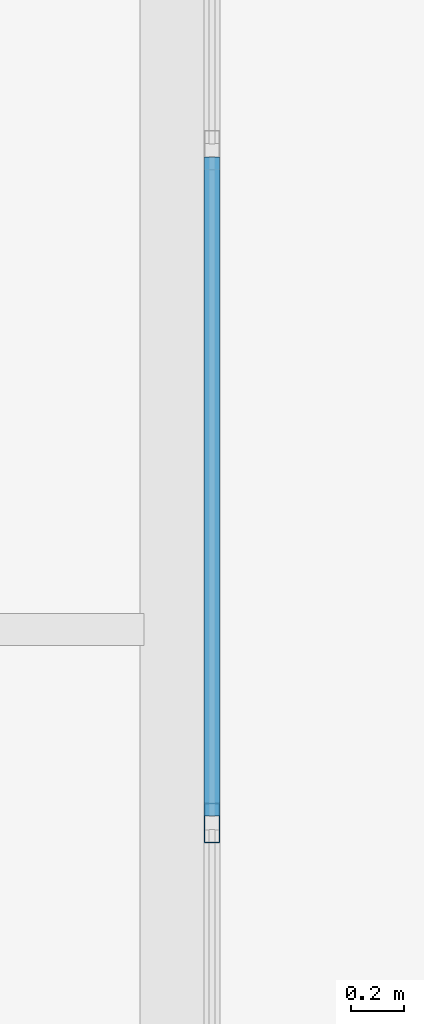
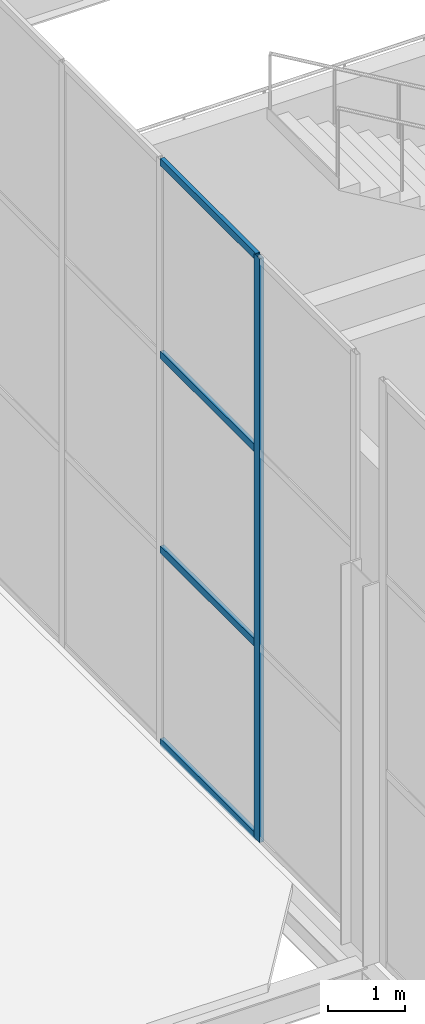
# One storey, part 85 of 191: 5 members, 1 element without a shape of its own.
"""IFC4 building model written with IfcOpenShell, lengths in metres."""

from ifc_helpers import new_model, si_unit, direction, frame, origin, origin_2d, place, context, subcontext, project, spatial, hollow_rectangle, extrude, material, layer, layer_set, material_profile, profile_set, type_object, element, aggregate, save


model = new_model("IFC4")

# Units and contexts
model_context = context("Model", 3, precision=1e-05, world=origin(), true_north=direction((0.0, 1.0)))
body_context = subcontext(model_context, "Body", "Model", "MODEL_VIEW")
ifc_project = project(units=[si_unit("LENGTHUNIT", "METRE"), si_unit("AREAUNIT", "SQUARE_METRE"), si_unit("VOLUMEUNIT", "CUBIC_METRE"), si_unit("PLANEANGLEUNIT", "RADIAN"), si_unit("MASSUNIT", "GRAM", prefix="KILO")], contexts=[model_context])

# Site, building, storey
site_placement = place(None, origin())
site = spatial("IfcSite", under=ifc_project, at=site_placement, CompositionType="ELEMENT")
building_placement = place(site_placement, origin())
building = spatial("IfcBuilding", under=site, at=building_placement, Name="Tamarisk Ironworks Central Station", CompositionType="ELEMENT")
storey_placement = place(building_placement, frame((0.0, 0.0, 6.60009765625)))
storey = spatial("IfcBuildingStorey", under=building, at=storey_placement, Name="L01", CompositionType="ELEMENT", Elevation=6.60009765625)

# Curtain wall, members
ifc_material = material(Name="Anodized aluminium alloy 6063-T6", Category="aluminium")
ifc_layer = layer(ifc_material, 0.179931640625)
ifc_layer_set = layer_set([ifc_layer], Name="Anodized aluminium alloy 6063-T6")
curtain_wall_type = type_object("IfcCurtainWallType", Name="CW-08", PredefinedType="USERDEFINED", material=ifc_layer_set)
curtain_wall_placement = place(storey_placement, origin())
curtain_wall = element("IfcCurtainWall", 1, at=curtain_wall_placement, inside=storey, type_object=curtain_wall_type, Name="Concourse W track-overlook curtain wall 07", ObjectType="GLAZED CURTAIN WALL", PredefinedType="USERDEFINED")
ifc_material_profile_1 = material_profile(ifc_material, hollow_rectangle(XDim=0.06005859375, YDim=0.14990234375, WallThickness=0.00341796875, at=origin_2d()), Name="ALUM 150x60")
ifc_profile_set_1 = profile_set([ifc_material_profile_1], Name="Anodized aluminium alloy 6063-T6")
member_type_1 = type_object("IfcMemberType", Name="CWM-03", PredefinedType="MULLION", material=ifc_profile_set_1)
member_1_placement = place(storey_placement, frame((54.1201171875, 92.875, 0.0), z_axis=(0.0, 0.0, 1.0), x_axis=(-1.0, 0.0, 0.0)))
member_1 = element("IfcMember", 2, at=member_1_placement, type_object=member_type_1, Name="CW08 mullion 2", PredefinedType="MULLION", context=body_context, shape_type="SweptSolid", body=[
    extrude(hollow_rectangle(XDim=0.06005859375, YDim=0.14990234375, WallThickness=0.00341796875, at=origin_2d()), origin(), (0.0, 0.0, 1.0), 9.219970703125),
])
ifc_material_profile_2 = material_profile(ifc_material, hollow_rectangle(XDim=0.06005859375, YDim=0.114990234375, WallThickness=0.00341796875, at=origin_2d()), Name="ALUM 115x60")
ifc_profile_set_2 = profile_set([ifc_material_profile_2], Name="Anodized aluminium alloy 6063-T6")
member_type_2 = type_object("IfcMemberType", Name="CWT-03", PredefinedType="USERDEFINED", material=ifc_profile_set_2)
member_2_placement = place(storey_placement, frame((54.1201171875, 92.90087890625, 0.02978515625), z_axis=(0.0, 1.0, 0.0), x_axis=(-1.0, 0.0, 0.0)))
member_2 = element("IfcMember", 3, at=member_2_placement, type_object=member_type_2, Name="CW08 transom 2.1", ObjectType="TRANSOM", PredefinedType="USERDEFINED", context=body_context, shape_type="SweptSolid", body=[
    extrude(hollow_rectangle(XDim=0.06005859375, YDim=0.114990234375, WallThickness=0.00341796875, at=origin_2d()), origin(), (0.0, 0.0, 1.0), 2.47314453125),
])
member_3_placement = place(storey_placement, frame((54.1201171875, 92.90087890625, 3.0732421875), z_axis=(0.0, 1.0, 0.0), x_axis=(-1.0, 0.0, 0.0)))
member_3 = element("IfcMember", 4, at=member_3_placement, type_object=member_type_2, Name="CW08 transom 2.2", ObjectType="TRANSOM", PredefinedType="USERDEFINED", context=body_context, shape_type="SweptSolid", body=[
    extrude(hollow_rectangle(XDim=0.06005859375, YDim=0.114990234375, WallThickness=0.00341796875, at=origin_2d()), origin(), (0.0, 0.0, 1.0), 2.47314453125),
])
member_4_placement = place(storey_placement, frame((54.1201171875, 92.90087890625, 6.146484375), z_axis=(0.0, 1.0, 0.0), x_axis=(-1.0, 0.0, 0.0)))
member_4 = element("IfcMember", 5, at=member_4_placement, type_object=member_type_2, Name="CW08 transom 2.3", ObjectType="TRANSOM", PredefinedType="USERDEFINED", context=body_context, shape_type="SweptSolid", body=[
    extrude(hollow_rectangle(XDim=0.06005859375, YDim=0.114990234375, WallThickness=0.00341796875, at=origin_2d()), origin(), (0.0, 0.0, 1.0), 2.47314453125),
])
member_5_placement = place(storey_placement, frame((54.1201171875, 92.90087890625, 9.18994140625), z_axis=(0.0, 1.0, 0.0), x_axis=(-1.0, 0.0, 0.0)))
member_5 = element("IfcMember", 6, at=member_5_placement, type_object=member_type_2, Name="CW08 transom 2.4", ObjectType="TRANSOM", PredefinedType="USERDEFINED", context=body_context, shape_type="SweptSolid", body=[
    extrude(hollow_rectangle(XDim=0.06005859375, YDim=0.114990234375, WallThickness=0.00341796875, at=origin_2d()), origin(), (0.0, 0.0, 1.0), 2.47314453125),
])
aggregate(curtain_wall, [member_1, member_2, member_3, member_4, member_5])

save(model, "model.ifc")
